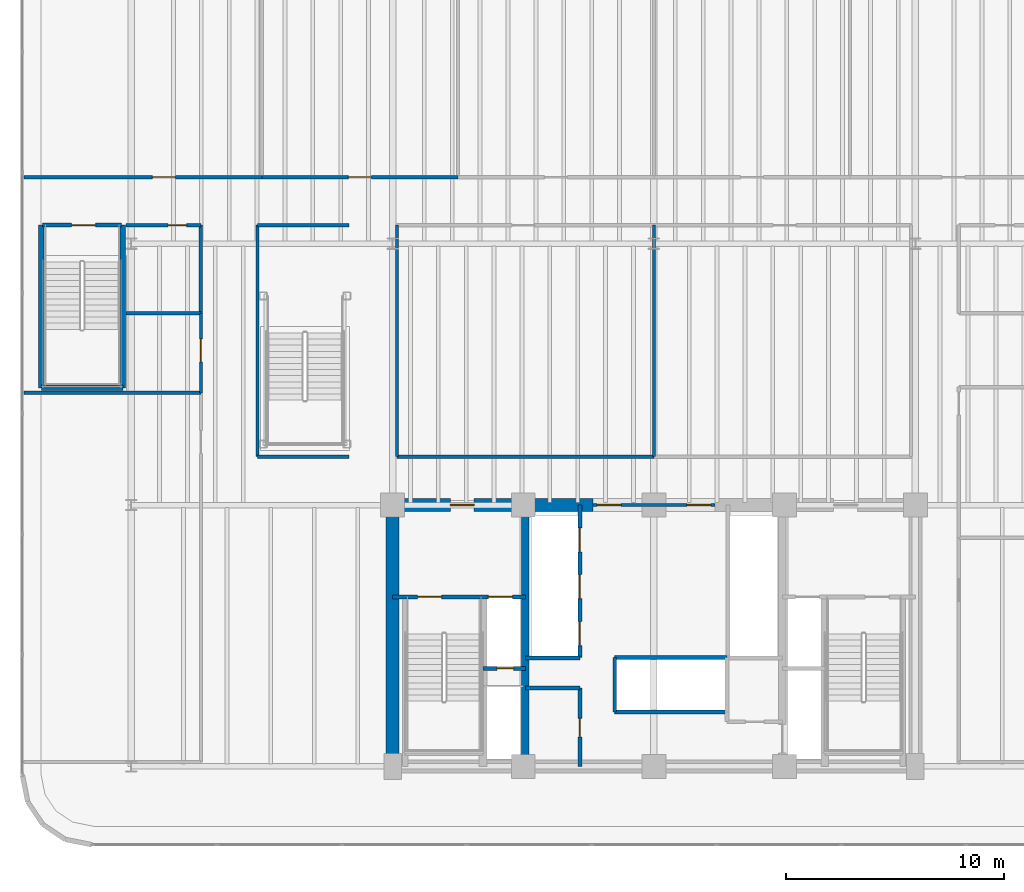
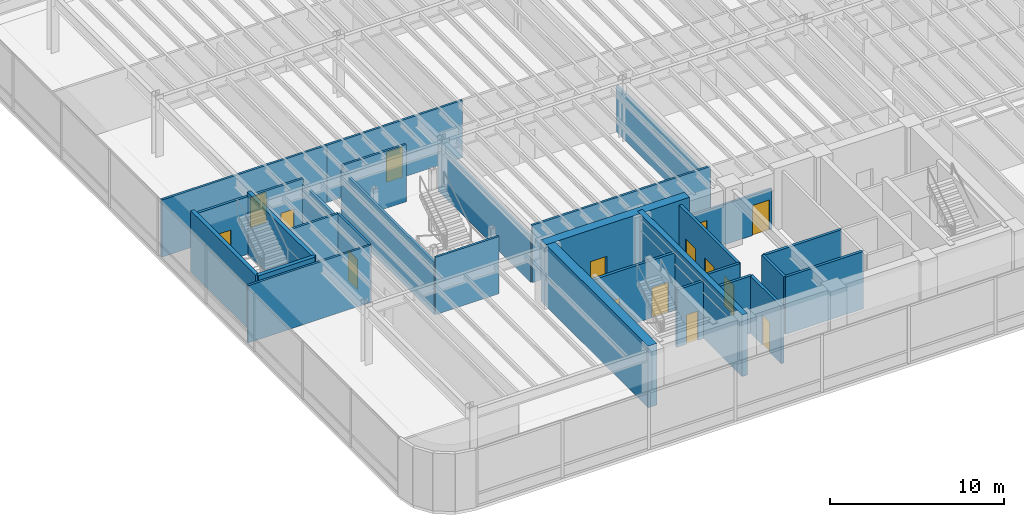
# One storey, part 12 of 18: 30 walls, 15 doors, 15 openings.
"""IFC4 building model written with IfcOpenShell, lengths in metres."""

from ifc_helpers import new_model, si_unit, direction, frame, frame_2d, origin, origin_2d, place, context, subcontext, project, spatial, rectangle, extrude, source, transform, mapped, material, layer, layer_set, type_object, element, fill, save


model = new_model("IFC4")

# Units and contexts
model_context = context("Model", 3, precision=1e-05, world=origin(), true_north=direction((0.0, 1.0)))
body_context = subcontext(model_context, "Body", "Model", "MODEL_VIEW")
ifc_project = project(units=[si_unit("LENGTHUNIT", "METRE"), si_unit("AREAUNIT", "SQUARE_METRE"), si_unit("VOLUMEUNIT", "CUBIC_METRE"), si_unit("PLANEANGLEUNIT", "RADIAN"), si_unit("MASSUNIT", "GRAM", prefix="KILO")], contexts=[model_context])

# Site, building, storey
site_placement = place(None, origin())
site = spatial("IfcSite", under=ifc_project, at=site_placement, CompositionType="ELEMENT")
building_placement = place(site_placement, origin())
building = spatial("IfcBuilding", under=site, at=building_placement, Name="Brelvock Crest Care Tower", CompositionType="ELEMENT")
storey_placement = place(building_placement, frame((0.0, 0.0, 9.719970703125)))
storey = spatial("IfcBuildingStorey", under=building, at=storey_placement, Name="L02", CompositionType="ELEMENT", Elevation=9.719970703125)

# Wall
ifc_material_1 = material(Name="Concrete S80 (80 MPa)", Category="concrete")
ifc_layer_1 = layer(ifc_material_1, 0.60009765625, Name="WL-CS1")
ifc_layer_set_1 = layer_set([ifc_layer_1], Name="Concrete S80 (80 MPa)")
wall_type_1 = type_object("IfcWallType", Name="WL-CS1", PredefinedType="SHEAR", material=ifc_layer_set_1)
wall_1_placement = place(storey_placement, frame((24.0, 6.0, 0.0), z_axis=(0.0, 0.0, 1.0), x_axis=(0.0, 1.0, 0.0)))
element("IfcWall", 1, at=wall_1_placement, inside=storey, type_object=wall_type_1, Name="L02 Core West Shear Wall", PredefinedType="SHEAR", context=body_context, shape_type="SweptSolid", body=[
    extrude(rectangle(XDim=12.0, YDim=0.60009765625, at=frame_2d((6.0, 0.0))), origin(), (0.0, 0.0, 1.0), 4.320068359375),
])

# Wall, opening, door
wall_2_placement = place(storey_placement, frame((23.699951171875, 18.0, 0.0), z_axis=(0.0, 0.0, 1.0), x_axis=(1.0, 0.0, 0.0)))
wall_2 = element("IfcWall", 2, at=wall_2_placement, inside=storey, type_object=wall_type_1, Name="L02 Core North-West Shear Wall", PredefinedType="SHEAR", context=body_context, shape_type="SweptSolid", body=[
    extrude(rectangle(XDim=9.5, YDim=0.60009765625, at=frame_2d((4.75, 0.0))), origin(), (0.0, 0.0, 1.0), 4.320068359375),
])
opening_1_placement = place(wall_2_placement, frame((2.949951171875, 0.0, 0.0)))
opening_1 = element("IfcOpeningElement", 3, at=opening_1_placement, cuts=wall_2, Name="Opening FD-1", PredefinedType="OPENING", context=body_context, shape_type="SweptSolid", body=[
    extrude(rectangle(XDim=1.10009765625, YDim=2.10009765625, at=origin_2d()), frame((0.550048828125, 0.31005859375, 1.050048828125), z_axis=(0.0, -1.0, 0.0), x_axis=(1.0, 0.0, 0.0)), (0.0, 0.0, 1.0), 0.6201171875),
])
ifc_material_2 = material(Name="Steel Grade 350", Category="steel")
door_type_1 = type_object("IfcDoorType", Name="DR-FFL1", OperationType="NOTDEFINED", PredefinedType="DOOR", material=ifc_material_2)
shared_shape_1 = source(origin(), body_context, "Body", "SweptSolid", [
    extrude(rectangle(XDim=1.10009765625, YDim=2.10009765625, at=origin_2d()), frame((0.550048828125, 0.02490234375, 1.050048828125), z_axis=(0.0, -1.0, 0.0), x_axis=(1.0, 0.0, 0.0)), (0.0, 0.0, 1.0), 0.050048828125),
])
door_1_placement = place(opening_1_placement, origin())
door_1 = element("IfcDoor", 4, at=door_1_placement, inside=storey, type_object=door_type_1, Name="L02 Firefighting Lobby FFL-1 Exit Door", OperationType="SINGLE_SWING_LEFT", OverallHeight=2.10009765625, OverallWidth=1.10009765625, PredefinedType="DOOR", context=body_context, shape_type="MappedRepresentation", body=[
    mapped(shared_shape_1, transform((0.0, 0.0, 0.0), x_axis=(1.0, 0.0, 0.0), y_axis=(0.0, 1.0, 0.0), z_axis=(0.0, 0.0, 1.0), scale=1.0)),
])
fill(opening_1, door_1)

# Walls
ifc_layer_2 = layer(ifc_material_1, 0.35009765625, Name="WL-CS5")
ifc_layer_set_2 = layer_set([ifc_layer_2], Name="Concrete S80 (80 MPa)")
wall_type_2 = type_object("IfcWallType", Name="WL-CS5", PredefinedType="SHEAR", material=ifc_layer_set_2)
wall_3_placement = place(storey_placement, frame((30.10009765625, 6.0, 0.0), z_axis=(0.0, 0.0, 1.0), x_axis=(0.0, 1.0, 0.0)))
element("IfcWall", 5, at=wall_3_placement, inside=storey, type_object=wall_type_2, Name="L02 Core Internal Web Wall West", PredefinedType="SHEAR", context=body_context, shape_type="SweptSolid", body=[
    extrude(rectangle(XDim=12.0, YDim=0.35009765625, at=frame_2d((6.0, 0.0))), origin(), (0.0, 0.0, 1.0), 4.320068359375),
])
ifc_layer_3 = layer(ifc_material_1, 0.25, Name="WL-CS6")
ifc_layer_set_3 = layer_set([ifc_layer_3], Name="Concrete S80 (80 MPa)")
wall_type_3 = type_object("IfcWallType", Name="WL-CS6", PredefinedType="SHEAR", material=ifc_layer_set_3)
wall_4_placement = place(storey_placement, frame((7.8798828125, 23.3798828125, 0.0), z_axis=(0.0, 0.0, 1.0), x_axis=(1.0, 0.0, 0.0)))
element("IfcWall", 6, at=wall_4_placement, inside=storey, type_object=wall_type_3, Name="L02 Podium Stair ST-3 South Shear Wall", PredefinedType="SHEAR", context=body_context, shape_type="SweptSolid", body=[
    extrude(rectangle(XDim=3.740234375, YDim=0.25, at=frame_2d((1.8701171875, 0.0))), origin(), (0.0, 0.0, 1.0), 4.320068359375),
])
for number, where, z_axis, x_axis, name in (
    (7, (7.8798828125, 23.3798828125, 0.0), (0.0, 0.0, 1.0), (0.0, 1.0, 0.0), "L02 Podium Stair ST-3 West Shear Wall"),
    (8, (11.6201171875, 23.3798828125, 0.0), (0.0, 0.0, 1.0), (0.0, 1.0, 0.0), "L02 Podium Stair ST-3 East Shear Wall"),
):
    element("IfcWall", number, at=place(storey_placement, frame(where, z_axis=z_axis, x_axis=x_axis)), inside=storey, type_object=wall_type_3, Name=name, PredefinedType="SHEAR", context=body_context, shape_type="SweptSolid", body=[
        extrude(rectangle(XDim=7.47021484375, YDim=0.25, at=frame_2d((3.735107421875, 0.0))), origin(), (0.0, 0.0, 1.0), 4.320068359375),
    ])

# Wall, openings, doors
ifc_material_3 = material(Name="Masonry Blockwork Acoustic Partition", Category="masonry")
ifc_layer_4 = layer(ifc_material_3, 0.14990234375, Name="WL-INT1")
ifc_layer_set_4 = layer_set([ifc_layer_4], Name="Masonry Blockwork Acoustic Partition")
wall_type_4 = type_object("IfcWallType", Name="WL-INT1", PredefinedType="PARTITIONING", material=ifc_layer_set_4)
wall_5_placement = place(storey_placement, frame((33.199951171875, 18.0, 0.0), z_axis=(0.0, 0.0, 1.0), x_axis=(1.0, 0.0, 0.0)))
wall_5 = element("IfcWall", 9, at=wall_5_placement, inside=storey, type_object=wall_type_4, Name="L02 Interior Wall WL-CORE-NPORT-L02", PredefinedType="PARTITIONING", context=body_context, shape_type="SweptSolid", body=[
    extrude(rectangle(XDim=5.60009765625, YDim=0.14990234375, at=frame_2d((2.800048828125, 0.0))), origin(), (0.0, 0.0, 1.0), 2.824951171875),
])
opening_2_placement = place(wall_5_placement, frame((0.18994140625, 0.0, 0.0)))
opening_2 = element("IfcOpeningElement", 10, at=opening_2_placement, cuts=wall_5, Name="Opening FD-1", PredefinedType="OPENING", context=body_context, shape_type="SweptSolid", body=[
    extrude(rectangle(XDim=1.10009765625, YDim=2.10009765625, at=origin_2d()), frame((0.550048828125, 0.0849609375, 1.050048828125), z_axis=(0.0, -1.0, 0.0), x_axis=(1.0, 0.0, 0.0)), (0.0, 0.0, 1.0), 0.169921875),
])
opening_3_placement = place(wall_5_placement, frame((4.31005859375, 0.0, 0.0)))
opening_3 = element("IfcOpeningElement", 11, at=opening_3_placement, cuts=wall_5, Name="Opening FD-1", PredefinedType="OPENING", context=body_context, shape_type="SweptSolid", body=[
    extrude(rectangle(XDim=1.10009765625, YDim=2.10009765625, at=origin_2d()), frame((0.550048828125, 0.0849609375, 1.050048828125), z_axis=(0.0, -1.0, 0.0), x_axis=(1.0, 0.0, 0.0)), (0.0, 0.0, 1.0), 0.169921875),
])
door_2_placement = place(opening_2_placement, origin())
door_2 = element("IfcDoor", 12, at=door_2_placement, inside=storey, type_object=door_type_1, Name="L02 Lift Lobby North Smoke Door West", OperationType="SINGLE_SWING_LEFT", OverallHeight=2.10009765625, OverallWidth=1.10009765625, PredefinedType="DOOR", context=body_context, shape_type="MappedRepresentation", body=[
    mapped(shared_shape_1, transform((0.0, 0.0, 0.0), x_axis=(1.0, 0.0, 0.0), y_axis=(0.0, 1.0, 0.0), z_axis=(0.0, 0.0, 1.0), scale=1.0)),
])
fill(opening_2, door_2)
door_3_placement = place(opening_3_placement, origin())
door_3 = element("IfcDoor", 13, at=door_3_placement, inside=storey, type_object=door_type_1, Name="L02 Lift Lobby North Smoke Door East", OperationType="SINGLE_SWING_RIGHT", OverallHeight=2.10009765625, OverallWidth=1.10009765625, PredefinedType="DOOR", context=body_context, shape_type="MappedRepresentation", body=[
    mapped(shared_shape_1, transform((0.0, 0.0, 0.0), x_axis=(1.0, 0.0, 0.0), y_axis=(0.0, 1.0, 0.0), z_axis=(0.0, 0.0, 1.0), scale=1.0)),
])
fill(opening_3, door_3)

# Walls
wall_6_placement = place(storey_placement, frame((17.800048828125, 20.219970703125, 0.0), z_axis=(0.0, 0.0, 1.0), x_axis=(1.0, 0.0, 0.0)))
element("IfcWall", 14, at=wall_6_placement, inside=storey, type_object=wall_type_4, Name="L02 Interior Wall WL-BX-L02-ATRM-S", PredefinedType="PARTITIONING", context=body_context, shape_type="SweptSolid", body=[
    extrude(rectangle(XDim=4.199951171875, YDim=0.14990234375, at=frame_2d((2.10009765625, 0.0))), origin(), (0.0, 0.0, 1.0), 4.010009765625),
])
wall_7_placement = place(storey_placement, frame((24.199951171875, 20.219970703125, 0.0), z_axis=(0.0, 0.0, 1.0), x_axis=(1.0, 0.0, 0.0)))
element("IfcWall", 15, at=wall_7_placement, inside=storey, type_object=wall_type_4, Name="L02 Interior Wall WL-BX-L02-CL2-S", PredefinedType="PARTITIONING", context=body_context, shape_type="SweptSolid", body=[
    extrude(rectangle(XDim=11.800048828125, YDim=0.14990234375, at=frame_2d((5.89990234375, 0.0))), origin(), (0.0, 0.0, 1.0), 4.010009765625),
])
wall_8_placement = place(storey_placement, frame((7.080078125, 23.14990234375, 0.0), z_axis=(0.0, 0.0, 1.0), x_axis=(1.0, 0.0, 0.0)))
element("IfcWall", 16, at=wall_8_placement, inside=storey, type_object=wall_type_4, Name="L02 Interior Wall WL-BX-L02-CL1A-N", PredefinedType="PARTITIONING", context=body_context, shape_type="SweptSolid", body=[
    extrude(rectangle(XDim=8.119873046875, YDim=0.14990234375, at=frame_2d((4.06005859375, 0.0))), origin(), (0.0, 0.0, 1.0), 4.010009765625),
])
wall_9_placement = place(storey_placement, frame((17.800048828125, 30.85009765625, 0.0), z_axis=(0.0, 0.0, 1.0), x_axis=(1.0, 0.0, 0.0)))
element("IfcWall", 17, at=wall_9_placement, inside=storey, type_object=wall_type_4, Name="L02 Interior Wall WL-BX-L02-ATRM-N", PredefinedType="PARTITIONING", context=body_context, shape_type="SweptSolid", body=[
    extrude(rectangle(XDim=4.199951171875, YDim=0.14990234375, at=frame_2d((2.10009765625, 0.0))), origin(), (0.0, 0.0, 1.0), 4.010009765625),
])

# Wall, opening, door
wall_10_placement = place(storey_placement, frame((7.080078125, 33.050048828125, 0.0), z_axis=(0.0, 0.0, 1.0), x_axis=(1.0, 0.0, 0.0)))
wall_10 = element("IfcWall", 18, at=wall_10_placement, inside=storey, type_object=wall_type_4, Name="L02 Interior Wall WL-RM-L02-CL5A", PredefinedType="PARTITIONING", context=body_context, shape_type="SweptSolid", body=[
    extrude(rectangle(XDim=10.919921875, YDim=0.14990234375, at=frame_2d((5.4599609375, 0.0))), origin(), (0.0, 0.0, 1.0), 4.010009765625),
])
opening_4_placement = place(wall_10_placement, frame((5.89501953125, 0.0, 0.0)))
opening_4 = element("IfcOpeningElement", 19, at=opening_4_placement, cuts=wall_10, Name="Opening CD-1", PredefinedType="OPENING", context=body_context, shape_type="SweptSolid", body=[
    extrude(rectangle(XDim=1.050048828125, YDim=2.10009765625, at=origin_2d()), frame((0.52490234375, 0.0849609375, 1.050048828125), z_axis=(0.0, -1.0, 0.0), x_axis=(1.0, 0.0, 0.0)), (0.0, 0.0, 1.0), 0.169921875),
])
ifc_material_4 = material(Name="Engineered Hardwood Timber", Category="wood")
door_type_2 = type_object("IfcDoorType", Name="DR-CARE1", OperationType="NOTDEFINED", PredefinedType="DOOR", material=ifc_material_4)
shared_shape_2 = source(origin(), body_context, "Body", "SweptSolid", [
    extrude(rectangle(XDim=1.050048828125, YDim=2.10009765625, at=origin_2d()), frame((0.52490234375, 0.02490234375, 1.050048828125), z_axis=(0.0, -1.0, 0.0), x_axis=(1.0, 0.0, 0.0)), (0.0, 0.0, 1.0), 0.050048828125),
])
door_4_placement = place(opening_4_placement, origin())
door_4 = element("IfcDoor", 20, at=door_4_placement, inside=storey, type_object=door_type_2, Name="L02 Day Rehabilitation Suite West Door CL5A", OperationType="SINGLE_SWING_LEFT", OverallHeight=2.10009765625, OverallWidth=1.050048828125, PredefinedType="DOOR", context=body_context, shape_type="MappedRepresentation", body=[
    mapped(shared_shape_2, transform((0.0, 0.0, 0.0), x_axis=(1.0, 0.0, 0.0), y_axis=(0.0, 1.0, 0.0), z_axis=(0.0, 0.0, 1.0), scale=1.0)),
])
fill(opening_4, door_4)

wall_11_placement = place(storey_placement, frame((18.0, 33.050048828125, 0.0), z_axis=(0.0, 0.0, 1.0), x_axis=(1.0, 0.0, 0.0)))
wall_11 = element("IfcWall", 21, at=wall_11_placement, inside=storey, type_object=wall_type_4, Name="L02 Interior Wall WL-RM-L02-CL5B", PredefinedType="PARTITIONING", context=body_context, shape_type="SweptSolid", body=[
    extrude(rectangle(XDim=9.0, YDim=0.14990234375, at=frame_2d((4.5, 0.0))), origin(), (0.0, 0.0, 1.0), 4.010009765625),
])
opening_5_placement = place(wall_11_placement, frame((3.97509765625, 0.0, 0.0)))
opening_5 = element("IfcOpeningElement", 22, at=opening_5_placement, cuts=wall_11, Name="Opening CLD-1", PredefinedType="OPENING", context=body_context, shape_type="SweptSolid", body=[
    extrude(rectangle(XDim=1.050048828125, YDim=2.10009765625, at=origin_2d()), frame((0.52490234375, 0.0849609375, 1.050048828125), z_axis=(0.0, -1.0, 0.0), x_axis=(1.0, 0.0, 0.0)), (0.0, 0.0, 1.0), 0.169921875),
])
door_type_3 = type_object("IfcDoorType", Name="DR-CLN1", OperationType="NOTDEFINED", PredefinedType="DOOR", material=ifc_material_4)
shared_shape_3 = source(origin(), body_context, "Body", "SweptSolid", [
    extrude(rectangle(XDim=1.050048828125, YDim=2.10009765625, at=origin_2d()), frame((0.52490234375, 0.02490234375, 1.050048828125), z_axis=(0.0, -1.0, 0.0), x_axis=(1.0, 0.0, 0.0)), (0.0, 0.0, 1.0), 0.050048828125),
])
door_5_placement = place(opening_5_placement, origin())
door_5 = element("IfcDoor", 23, at=door_5_placement, inside=storey, type_object=door_type_3, Name="L02 Speech and Swallowing Clinic Door CL5B", OperationType="SINGLE_SWING_LEFT", OverallHeight=2.10009765625, OverallWidth=1.050048828125, PredefinedType="DOOR", context=body_context, shape_type="MappedRepresentation", body=[
    mapped(shared_shape_3, transform((0.0, 0.0, 0.0), x_axis=(1.0, 0.0, 0.0), y_axis=(0.0, 1.0, 0.0), z_axis=(0.0, 0.0, 1.0), scale=1.0)),
])
fill(opening_5, door_5)

wall_12_placement = place(storey_placement, frame((15.199951171875, 23.14990234375, 0.0), z_axis=(0.0, 0.0, 1.0), x_axis=(0.0, 1.0, 0.0)))
wall_12 = element("IfcWall", 24, at=wall_12_placement, inside=storey, type_object=wall_type_4, Name="L02 Interior Wall WL-RM-L02-CL1B", PredefinedType="PARTITIONING", context=body_context, shape_type="SweptSolid", body=[
    extrude(rectangle(XDim=3.650146484375, YDim=0.14990234375, at=frame_2d((1.8251953125, 0.0))), origin(), (0.0, 0.0, 1.0), 4.010009765625),
])
opening_6_placement = place(wall_12_placement, frame((1.425048828125, 0.0, 0.0)))
opening_6 = element("IfcOpeningElement", 25, at=opening_6_placement, cuts=wall_12, Name="Opening CLD-1", PredefinedType="OPENING", context=body_context, shape_type="SweptSolid", body=[
    extrude(rectangle(XDim=1.050048828125, YDim=2.10009765625, at=origin_2d()), frame((0.52490234375, 0.0849609375, 1.050048828125), z_axis=(0.0, -1.0, 0.0), x_axis=(1.0, 0.0, 0.0)), (0.0, 0.0, 1.0), 0.169921875),
])
door_6_placement = place(opening_6_placement, origin())
door_6 = element("IfcDoor", 26, at=door_6_placement, inside=storey, type_object=door_type_3, Name="L02 Geriatric Triage Assessment Door CL1B", OperationType="SINGLE_SWING_LEFT", OverallHeight=2.10009765625, OverallWidth=1.050048828125, PredefinedType="DOOR", context=body_context, shape_type="MappedRepresentation", body=[
    mapped(shared_shape_3, transform((0.0, 0.0, 0.0), x_axis=(1.0, 0.0, 0.0), y_axis=(0.0, 1.0, 0.0), z_axis=(0.0, 0.0, 1.0), scale=1.0)),
])
fill(opening_6, door_6)

# Walls
wall_13_placement = place(storey_placement, frame((17.800048828125, 20.219970703125, 0.0), z_axis=(0.0, 0.0, 1.0), x_axis=(0.0, 1.0, 0.0)))
element("IfcWall", 27, at=wall_13_placement, inside=storey, type_object=wall_type_4, Name="L02 Interior Wall WL-BX-L02-ATRM-W", PredefinedType="PARTITIONING", context=body_context, shape_type="SweptSolid", body=[
    extrude(rectangle(XDim=10.630126953125, YDim=0.14990234375, at=frame_2d((5.31494140625, 0.0))), origin(), (0.0, 0.0, 1.0), 3.666015625),
])
for number, where, z_axis, x_axis, name in (
    (28, (24.199951171875, 20.219970703125, 0.0), (0.0, 0.0, 1.0), (0.0, 1.0, 0.0), "L02 Interior Wall WL-BX-L02-CL2-W"),
    (29, (36.0, 20.219970703125, 0.0), (0.0, 0.0, 1.0), (0.0, 1.0, 0.0), "L02 Interior Wall WL-BX-L02-CL2-E"),
):
    element("IfcWall", number, at=place(storey_placement, frame(where, z_axis=z_axis, x_axis=x_axis)), inside=storey, type_object=wall_type_4, Name=name, PredefinedType="PARTITIONING", context=body_context, shape_type="SweptSolid", body=[
        extrude(rectangle(XDim=10.630126953125, YDim=0.14990234375, at=frame_2d((5.31494140625, 0.0))), origin(), (0.0, 0.0, 1.0), 3.22509765625),
    ])
ifc_material_5 = material(Name="Gypsum Plasterboard Partition", Category="gypsum")
ifc_layer_5 = layer(ifc_material_5, 0.159912109375, Name="WL-PLM1")
ifc_layer_set_5 = layer_set([ifc_layer_5], Name="Gypsum Plasterboard Partition")
wall_type_5 = type_object("IfcWallType", Name="WL-PLM1", PredefinedType="PLUMBINGWALL", material=ifc_layer_set_5)
wall_14_placement = place(storey_placement, frame((11.75, 26.800048828125, 0.0), z_axis=(0.0, 0.0, 1.0), x_axis=(1.0, 0.0, 0.0)))
element("IfcWall", 30, at=wall_14_placement, inside=storey, type_object=wall_type_5, Name="L02 Interior Wall WL-BX-L02-AWC-S", PredefinedType="PLUMBINGWALL", context=body_context, shape_type="SweptSolid", body=[
    extrude(rectangle(XDim=3.449951171875, YDim=0.159912109375, at=frame_2d((1.72509765625, 0.0))), origin(), (0.0, 0.0, 1.0), 4.010009765625),
])

# Wall, opening, door
wall_15_placement = place(storey_placement, frame((11.75, 30.85009765625, 0.0), z_axis=(0.0, 0.0, 1.0), x_axis=(1.0, 0.0, 0.0)))
wall_15 = element("IfcWall", 31, at=wall_15_placement, inside=storey, type_object=wall_type_5, Name="L02 Interior Wall WL-RM-L02-AWC", PredefinedType="PLUMBINGWALL", context=body_context, shape_type="SweptSolid", body=[
    extrude(rectangle(XDim=3.449951171875, YDim=0.159912109375, at=frame_2d((1.72509765625, 0.0))), origin(), (0.0, 0.0, 1.0), 4.010009765625),
])
opening_7_placement = place(wall_15_placement, frame((1.93994140625, 0.0, 0.0)))
opening_7 = element("IfcOpeningElement", 32, at=opening_7_placement, cuts=wall_15, Name="Opening WD-1", PredefinedType="OPENING", context=body_context, shape_type="SweptSolid", body=[
    extrude(rectangle(XDim=0.860107421875, YDim=2.10009765625, at=origin_2d()), frame((0.43017578125, 0.08984375, 1.050048828125), z_axis=(0.0, -1.0, 0.0), x_axis=(1.0, 0.0, 0.0)), (0.0, 0.0, 1.0), 0.179931640625),
])
door_type_4 = type_object("IfcDoorType", Name="DR-WC1", OperationType="NOTDEFINED", PredefinedType="DOOR", material=ifc_material_4)
shared_shape_4 = source(origin(), body_context, "Body", "SweptSolid", [
    extrude(rectangle(XDim=0.860107421875, YDim=2.10009765625, at=origin_2d()), frame((0.43017578125, 0.02490234375, 1.050048828125), z_axis=(0.0, -1.0, 0.0), x_axis=(1.0, 0.0, 0.0)), (0.0, 0.0, 1.0), 0.050048828125),
])
door_7_placement = place(opening_7_placement, origin())
door_7 = element("IfcDoor", 33, at=door_7_placement, inside=storey, type_object=door_type_4, Name="L02 Clinic Accessible WC Door AWC", OperationType="SINGLE_SWING_LEFT", OverallHeight=2.10009765625, OverallWidth=0.860107421875, PredefinedType="DOOR", context=body_context, shape_type="MappedRepresentation", body=[
    mapped(shared_shape_4, transform((0.0, 0.0, 0.0), x_axis=(1.0, 0.0, 0.0), y_axis=(0.0, 1.0, 0.0), z_axis=(0.0, 0.0, 1.0), scale=1.0)),
])
fill(opening_7, door_7)

# Wall
wall_16_placement = place(storey_placement, frame((15.199951171875, 26.800048828125, 0.0), z_axis=(0.0, 0.0, 1.0), x_axis=(0.0, 1.0, 0.0)))
element("IfcWall", 34, at=wall_16_placement, inside=storey, type_object=wall_type_5, Name="L02 Interior Wall WL-BX-L02-AWC-E", PredefinedType="PLUMBINGWALL", context=body_context, shape_type="SweptSolid", body=[
    extrude(rectangle(XDim=4.050048828125, YDim=0.159912109375, at=frame_2d((2.02490234375, 0.0))), origin(), (0.0, 0.0, 1.0), 3.666015625),
])

# Wall, opening, door
ifc_layer_6 = layer(ifc_material_3, 0.179931640625, Name="WL-SHF1")
ifc_layer_set_6 = layer_set([ifc_layer_6], Name="Masonry Blockwork Acoustic Partition")
wall_type_6 = type_object("IfcWallType", Name="WL-SHF1", PredefinedType="PARTITIONING", material=ifc_layer_set_6)
wall_17_placement = place(storey_placement, frame((7.919921875, 30.85009765625, 0.0), z_axis=(0.0, 0.0, 1.0), x_axis=(1.0, 0.0, 0.0)))
wall_17 = element("IfcWall", 35, at=wall_17_placement, inside=storey, type_object=wall_type_6, Name="L02 Interior Wall WL-ST3-N-L02", PredefinedType="PARTITIONING", context=body_context, shape_type="SweptSolid", body=[
    extrude(rectangle(XDim=3.630126953125, YDim=0.179931640625, at=frame_2d((1.81494140625, 0.0))), origin(), (0.0, 0.0, 1.0), 4.0400390625),
])
opening_8_placement = place(wall_17_placement, frame((1.35009765625, 0.0, 0.0)))
opening_8 = element("IfcOpeningElement", 36, at=opening_8_placement, cuts=wall_17, Name="Opening SD-1", PredefinedType="OPENING", context=body_context, shape_type="SweptSolid", body=[
    extrude(rectangle(XDim=1.10009765625, YDim=2.10009765625, at=origin_2d()), frame((0.550048828125, 0.10009765625, 1.050048828125), z_axis=(0.0, -1.0, 0.0), x_axis=(1.0, 0.0, 0.0)), (0.0, 0.0, 1.0), 0.199951171875),
])
door_type_5 = type_object("IfcDoorType", Name="DR-ST1", OperationType="NOTDEFINED", PredefinedType="DOOR", material=ifc_material_2)
shared_shape_5 = source(origin(), body_context, "Body", "SweptSolid", [
    extrude(rectangle(XDim=1.10009765625, YDim=2.10009765625, at=origin_2d()), frame((0.550048828125, 0.02490234375, 1.050048828125), z_axis=(0.0, -1.0, 0.0), x_axis=(1.0, 0.0, 0.0)), (0.0, 0.0, 1.0), 0.050048828125),
])
door_8_placement = place(opening_8_placement, origin())
door_8 = element("IfcDoor", 37, at=door_8_placement, inside=storey, type_object=door_type_5, Name="L02 Podium Stair ST-3 Door", OperationType="SINGLE_SWING_LEFT", OverallHeight=2.10009765625, OverallWidth=1.10009765625, PredefinedType="DOOR", context=body_context, shape_type="MappedRepresentation", body=[
    mapped(shared_shape_5, transform((0.0, 0.0, 0.0), x_axis=(1.0, 0.0, 0.0), y_axis=(0.0, 1.0, 0.0), z_axis=(0.0, 0.0, 1.0), scale=1.0)),
])
fill(opening_8, door_8)

# Walls
for number, where, z_axis, x_axis, name in (
    (38, (34.199951171875, 11.0, 0.0), (0.0, 0.0, 1.0), (1.0, 0.0, 0.0), "L02 Interior Wall WL-PLM-SHF-L02"),
    (39, (34.199951171875, 8.5, 0.0), (0.0, 0.0, 1.0), (1.0, 0.0, 0.0), "L02 Interior Wall WL-PLM-S-L02"),
):
    element("IfcWall", number, at=place(storey_placement, frame(where, z_axis=z_axis, x_axis=x_axis)), inside=storey, type_object=wall_type_6, Name=name, PredefinedType="PARTITIONING", context=body_context, shape_type="SweptSolid", body=[
        extrude(rectangle(XDim=5.150146484375, YDim=0.179931640625, at=frame_2d((2.5751953125, 0.0))), origin(), (0.0, 0.0, 1.0), 4.010009765625),
    ])
for number, where, z_axis, x_axis, name in (
    (40, (34.199951171875, 8.5, 0.0), (0.0, 0.0, 1.0), (0.0, 1.0, 0.0), "L02 Interior Wall WL-PLM-W-L02"),
    (41, (30.10009765625, 10.97998046875, 0.0), (0.0, 0.0, 1.0), (1.0, 0.0, 0.0), "L02 Interior Wall WL-CSBW-N-L02"),
    (42, (30.10009765625, 9.60009765625, 0.0), (0.0, 0.0, 1.0), (1.0, 0.0, 0.0), "L02 Interior Wall WL-CSBW-S1-L02"),
):
    element("IfcWall", number, at=place(storey_placement, frame(where, z_axis=z_axis, x_axis=x_axis)), inside=storey, type_object=wall_type_6, Name=name, PredefinedType="PARTITIONING", context=body_context, shape_type="SweptSolid", body=[
        extrude(rectangle(XDim=2.5, YDim=0.179931640625, at=frame_2d((1.25, 0.0))), origin(), (0.0, 0.0, 1.0), 4.010009765625),
    ])

# Wall, opening, door
wall_18_placement = place(storey_placement, frame((32.60009765625, 6.0, 0.0), z_axis=(0.0, 0.0, 1.0), x_axis=(0.0, 1.0, 0.0)))
wall_18 = element("IfcWall", 43, at=wall_18_placement, inside=storey, type_object=wall_type_6, Name="L02 Interior Wall WL-CSBW-E-L02", PredefinedType="PARTITIONING", context=body_context, shape_type="SweptSolid", body=[
    extrude(rectangle(XDim=3.60009765625, YDim=0.179931640625, at=frame_2d((1.800048828125, 0.0))), origin(), (0.0, 0.0, 1.0), 4.010009765625),
])
opening_9_placement = place(wall_18_placement, frame((1.35009765625, 0.0, 0.0)))
opening_9 = element("IfcOpeningElement", 44, at=opening_9_placement, cuts=wall_18, Name="Opening ID-1", PredefinedType="OPENING", context=body_context, shape_type="SweptSolid", body=[
    extrude(rectangle(XDim=0.860107421875, YDim=2.10009765625, at=origin_2d()), frame((0.43017578125, 0.10009765625, 1.050048828125), z_axis=(0.0, -1.0, 0.0), x_axis=(1.0, 0.0, 0.0)), (0.0, 0.0, 1.0), 0.199951171875),
])
door_type_6 = type_object("IfcDoorType", Name="DR-INT1", OperationType="NOTDEFINED", PredefinedType="DOOR", material=ifc_material_4)
shared_shape_6 = source(origin(), body_context, "Body", "SweptSolid", [
    extrude(rectangle(XDim=0.860107421875, YDim=2.10009765625, at=origin_2d()), frame((0.43017578125, 0.02490234375, 1.050048828125), z_axis=(0.0, -1.0, 0.0), x_axis=(1.0, 0.0, 0.0)), (0.0, 0.0, 1.0), 0.050048828125),
])
door_9_placement = place(opening_9_placement, origin())
door_9 = element("IfcDoor", 45, at=door_9_placement, inside=storey, type_object=door_type_6, Name="DR-CSBW-L02", OperationType="SINGLE_SWING_LEFT", OverallHeight=2.10009765625, OverallWidth=0.860107421875, PredefinedType="DOOR", context=body_context, shape_type="MappedRepresentation", body=[
    mapped(shared_shape_6, transform((0.0, 0.0, 0.0), x_axis=(1.0, 0.0, 0.0), y_axis=(0.0, 1.0, 0.0), z_axis=(0.0, 0.0, 1.0), scale=1.0)),
])
fill(opening_9, door_9)

# Wall, openings, doors
wall_19_placement = place(storey_placement, frame((24.0, 13.780029296875, 0.0), z_axis=(0.0, 0.0, 1.0), x_axis=(1.0, 0.0, 0.0)))
wall_19 = element("IfcWall", 46, at=wall_19_placement, inside=storey, type_object=wall_type_6, Name="L02 Interior Wall WL-ST1-N-L02", PredefinedType="PARTITIONING", context=body_context, shape_type="SweptSolid", body=[
    extrude(rectangle(XDim=6.10009765625, YDim=0.179931640625, at=frame_2d((3.050048828125, 0.0))), origin(), (0.0, 0.0, 1.0), 4.010009765625),
])
opening_10_placement = place(wall_19_placement, frame((1.14990234375, 0.0, 0.0)))
opening_10 = element("IfcOpeningElement", 47, at=opening_10_placement, cuts=wall_19, Name="Opening SD-1", PredefinedType="OPENING", context=body_context, shape_type="SweptSolid", body=[
    extrude(rectangle(XDim=1.10009765625, YDim=2.10009765625, at=origin_2d()), frame((0.550048828125, 0.10009765625, 1.050048828125), z_axis=(0.0, -1.0, 0.0), x_axis=(1.0, 0.0, 0.0)), (0.0, 0.0, 1.0), 0.199951171875),
])
opening_11_placement = place(wall_19_placement, frame((4.39990234375, 0.0, 0.0)))
opening_11 = element("IfcOpeningElement", 48, at=opening_11_placement, cuts=wall_19, Name="Opening LD", PredefinedType="OPENING", context=body_context, shape_type="SweptSolid", body=[
    extrude(rectangle(XDim=1.10009765625, YDim=2.10009765625, at=origin_2d()), frame((0.550048828125, 0.10009765625, 1.050048828125), z_axis=(0.0, -1.0, 0.0), x_axis=(1.0, 0.0, 0.0)), (0.0, 0.0, 1.0), 0.199951171875),
])
door_10_placement = place(opening_10_placement, origin())
door_10 = element("IfcDoor", 49, at=door_10_placement, inside=storey, type_object=door_type_5, Name="L02 Fire Stair ST-1 Door", OperationType="SINGLE_SWING_LEFT", OverallHeight=2.10009765625, OverallWidth=1.10009765625, PredefinedType="DOOR", context=body_context, shape_type="MappedRepresentation", body=[
    mapped(shared_shape_5, transform((0.0, 0.0, 0.0), x_axis=(1.0, 0.0, 0.0), y_axis=(0.0, 1.0, 0.0), z_axis=(0.0, 0.0, 1.0), scale=1.0)),
])
fill(opening_10, door_10)
door_type_7 = type_object("IfcDoorType", Name="DR-LD1", OperationType="NOTDEFINED", PredefinedType="DOOR", material=ifc_material_2)
shared_shape_7 = source(origin(), body_context, "Body", "SweptSolid", [
    extrude(rectangle(XDim=1.10009765625, YDim=2.10009765625, at=origin_2d()), frame((0.550048828125, 0.02490234375, 1.050048828125), z_axis=(0.0, -1.0, 0.0), x_axis=(1.0, 0.0, 0.0)), (0.0, 0.0, 1.0), 0.050048828125),
])
door_11_placement = place(opening_11_placement, origin())
door_11 = element("IfcDoor", 50, at=door_11_placement, inside=storey, type_object=door_type_7, Name="L02 Firefighting Lift FFL-1 Landing Door", OperationType="SLIDING_TO_LEFT", OverallHeight=2.10009765625, OverallWidth=1.10009765625, PredefinedType="DOOR", context=body_context, shape_type="MappedRepresentation", body=[
    mapped(shared_shape_7, transform((0.0, 0.0, 0.0), x_axis=(1.0, 0.0, 0.0), y_axis=(0.0, 1.0, 0.0), z_axis=(0.0, 0.0, 1.0), scale=1.0)),
])
fill(opening_11, door_11)

# Wall, opening, door
wall_20_placement = place(storey_placement, frame((28.14990234375, 10.5, 0.0), z_axis=(0.0, 0.0, 1.0), x_axis=(1.0, 0.0, 0.0)))
wall_20 = element("IfcWall", 51, at=wall_20_placement, inside=storey, type_object=wall_type_6, Name="L02 Interior Wall WL-FFH1-S-L02", PredefinedType="PARTITIONING", context=body_context, shape_type="SweptSolid", body=[
    extrude(rectangle(XDim=1.9501953125, YDim=0.179931640625, at=frame_2d((0.97509765625, 0.0))), origin(), (0.0, 0.0, 1.0), 4.010009765625),
])
opening_12_placement = place(wall_20_placement, frame((0.64990234375, 0.0, 0.0)))
opening_12 = element("IfcOpeningElement", 52, at=opening_12_placement, cuts=wall_20, Name="Opening RD-1", PredefinedType="OPENING", context=body_context, shape_type="SweptSolid", body=[
    extrude(rectangle(XDim=0.760009765625, YDim=2.050048828125, at=origin_2d()), frame((0.3798828125, 0.10009765625, 1.02490234375), z_axis=(0.0, -1.0, 0.0), x_axis=(1.0, 0.0, 0.0)), (0.0, 0.0, 1.0), 0.199951171875),
])
door_type_8 = type_object("IfcDoorType", Name="DR-RIS1", OperationType="NOTDEFINED", PredefinedType="DOOR", material=ifc_material_2)
shared_shape_8 = source(origin(), body_context, "Body", "SweptSolid", [
    extrude(rectangle(XDim=0.760009765625, YDim=2.050048828125, at=origin_2d()), frame((0.3798828125, 0.02490234375, 1.02490234375), z_axis=(0.0, -1.0, 0.0), x_axis=(1.0, 0.0, 0.0)), (0.0, 0.0, 1.0), 0.050048828125),
])
door_12_placement = place(opening_12_placement, origin())
door_12 = element("IfcDoor", 53, at=door_12_placement, inside=storey, type_object=door_type_8, Name="L02 Wet Fire Riser Access Door", OperationType="SINGLE_SWING_LEFT", OverallHeight=2.050048828125, OverallWidth=0.760009765625, PredefinedType="DOOR", context=body_context, shape_type="MappedRepresentation", body=[
    mapped(shared_shape_8, transform((0.0, 0.0, 0.0), x_axis=(1.0, 0.0, 0.0), y_axis=(0.0, 1.0, 0.0), z_axis=(0.0, 0.0, 1.0), scale=1.0)),
])
fill(opening_12, door_12)

# Wall, openings, doors
wall_21_placement = place(storey_placement, frame((32.60009765625, 11.0, 0.0), z_axis=(0.0, 0.0, 1.0), x_axis=(0.0, 1.0, 0.0)))
wall_21 = element("IfcWall", 54, at=wall_21_placement, inside=storey, type_object=wall_type_6, Name="L02 Interior Wall WL-PLL-BANK-L02", PredefinedType="PARTITIONING", context=body_context, shape_type="SweptSolid", body=[
    extrude(rectangle(XDim=7.0, YDim=0.179931640625, at=frame_2d((3.5, 0.0))), origin(), (0.0, 0.0, 1.0), 4.010009765625),
])
opening_13_placement = place(wall_21_placement, frame((0.550048828125, 0.0, 0.0)))
opening_13 = element("IfcOpeningElement", 55, at=opening_13_placement, cuts=wall_21, Name="Opening LD", PredefinedType="OPENING", context=body_context, shape_type="SweptSolid", body=[
    extrude(rectangle(XDim=1.10009765625, YDim=2.10009765625, at=origin_2d()), frame((0.550048828125, 0.10009765625, 1.050048828125), z_axis=(0.0, -1.0, 0.0), x_axis=(1.0, 0.0, 0.0)), (0.0, 0.0, 1.0), 0.199951171875),
])
opening_14_placement = place(wall_21_placement, frame((2.699951171875, 0.0, 0.0)))
opening_14 = element("IfcOpeningElement", 56, at=opening_14_placement, cuts=wall_21, Name="Opening LD", PredefinedType="OPENING", context=body_context, shape_type="SweptSolid", body=[
    extrude(rectangle(XDim=1.10009765625, YDim=2.10009765625, at=origin_2d()), frame((0.550048828125, 0.10009765625, 1.050048828125), z_axis=(0.0, -1.0, 0.0), x_axis=(1.0, 0.0, 0.0)), (0.0, 0.0, 1.0), 0.199951171875),
])
opening_15_placement = place(wall_21_placement, frame((4.85009765625, 0.0, 0.0)))
opening_15 = element("IfcOpeningElement", 57, at=opening_15_placement, cuts=wall_21, Name="Opening LD", PredefinedType="OPENING", context=body_context, shape_type="SweptSolid", body=[
    extrude(rectangle(XDim=1.10009765625, YDim=2.10009765625, at=origin_2d()), frame((0.550048828125, 0.10009765625, 1.050048828125), z_axis=(0.0, -1.0, 0.0), x_axis=(1.0, 0.0, 0.0)), (0.0, 0.0, 1.0), 0.199951171875),
])
door_13_placement = place(opening_13_placement, origin())
door_13 = element("IfcDoor", 58, at=door_13_placement, inside=storey, type_object=door_type_7, Name="L02 Lift PL-L1 Landing Door", OperationType="SLIDING_TO_LEFT", OverallHeight=2.10009765625, OverallWidth=1.10009765625, PredefinedType="DOOR", context=body_context, shape_type="MappedRepresentation", body=[
    mapped(shared_shape_7, transform((0.0, 0.0, 0.0), x_axis=(1.0, 0.0, 0.0), y_axis=(0.0, 1.0, 0.0), z_axis=(0.0, 0.0, 1.0), scale=1.0)),
])
fill(opening_13, door_13)
door_14_placement = place(opening_14_placement, origin())
door_14 = element("IfcDoor", 59, at=door_14_placement, inside=storey, type_object=door_type_7, Name="L02 Lift PL-L2 Landing Door", OperationType="SLIDING_TO_LEFT", OverallHeight=2.10009765625, OverallWidth=1.10009765625, PredefinedType="DOOR", context=body_context, shape_type="MappedRepresentation", body=[
    mapped(shared_shape_7, transform((0.0, 0.0, 0.0), x_axis=(1.0, 0.0, 0.0), y_axis=(0.0, 1.0, 0.0), z_axis=(0.0, 0.0, 1.0), scale=1.0)),
])
fill(opening_14, door_14)
door_15_placement = place(opening_15_placement, origin())
door_15 = element("IfcDoor", 60, at=door_15_placement, inside=storey, type_object=door_type_7, Name="L02 Lift PL-L3 Landing Door", OperationType="SLIDING_TO_LEFT", OverallHeight=2.10009765625, OverallWidth=1.10009765625, PredefinedType="DOOR", context=body_context, shape_type="MappedRepresentation", body=[
    mapped(shared_shape_7, transform((0.0, 0.0, 0.0), x_axis=(1.0, 0.0, 0.0), y_axis=(0.0, 1.0, 0.0), z_axis=(0.0, 0.0, 1.0), scale=1.0)),
])
fill(opening_15, door_15)

save(model, "model.ifc")
